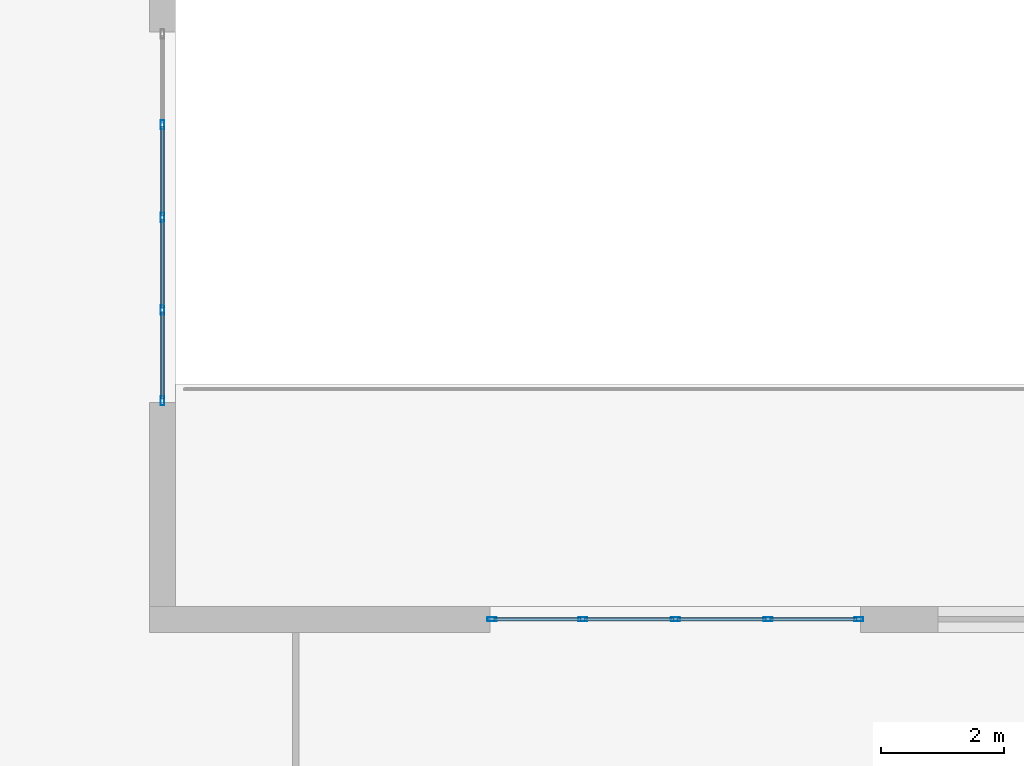
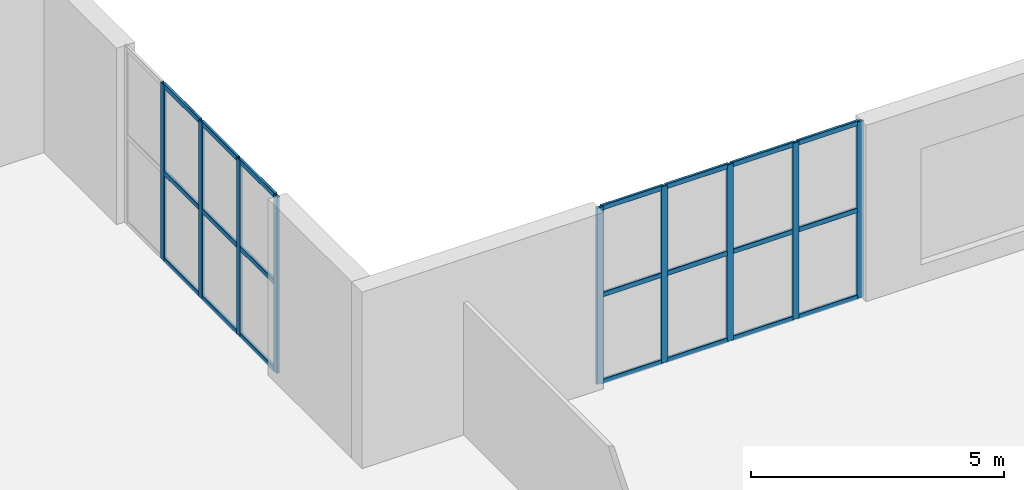
# One storey, part 5 of 15: 30 members, 2 elements without a shape of their own.
"""IFC4 building model written with IfcOpenShell, lengths in metres."""

from ifc_helpers import new_model, entity, si_unit, converted_unit, direction, frame, origin_with_axes, origin_2d_with_axis, place, context, subcontext, project, spatial, hollow_rectangle, extrude, material, material_profile, profile_set, type_object, element, aggregate, save


model = new_model("IFC4")

# Units and contexts
model_context = context("Model", 3, precision=1e-05, world=origin_with_axes(), true_north=direction((0.0, 1.0)))
body_context = subcontext(model_context, "Body", "Model", "MODEL_VIEW")
ifc_project = project(units=[si_unit("LENGTHUNIT", "METRE"), si_unit("AREAUNIT", "SQUARE_METRE"), si_unit("VOLUMEUNIT", "CUBIC_METRE"), converted_unit("PLANEANGLEUNIT", "DEGREE", entity("IfcPlaneAngleMeasure", 0.017453292519943295), si_unit("PLANEANGLEUNIT", "RADIAN"), dimensions=[0, 0, 0, 0, 0, 0, 0]), si_unit("MASSUNIT", "GRAM", prefix="KILO"), si_unit("THERMODYNAMICTEMPERATUREUNIT", "KELVIN")], contexts=[model_context])

# Site, building, storey
site_placement = place(None, origin_with_axes())
site = spatial("IfcSite", under=ifc_project, at=site_placement, CompositionType="ELEMENT")
building_placement = place(site_placement, origin_with_axes())
building = spatial("IfcBuilding", under=site, at=building_placement, Name="Varnlund Millrace Tower", CompositionType="ELEMENT")
storey_placement = place(building_placement, frame((0.0, 0.0, 19.8), z_axis=(0.0, 0.0, 1.0), x_axis=(1.0, 0.0, 0.0)))
storey = spatial("IfcBuildingStorey", under=building, at=storey_placement, Name="L04", CompositionType="ELEMENT", Elevation=19.8)

# Curtain wall, members
ifc_material_1 = material(Name="Thermally broken architectural bronze curtain wall", Category="aluminium")
curtain_wall_type = type_object("IfcCurtainWallType", Name="Type-CW-Sys4-SkyLobby1", PredefinedType="NOTDEFINED", material=ifc_material_1)
curtain_wall_1_placement = place(storey_placement, frame((53.7, 35.79, 0.0), z_axis=(0.0, 0.0, 1.0), x_axis=(1.0, 0.0, 0.0)))
curtain_wall_1 = element("IfcCurtainWall", 1, at=curtain_wall_1_placement, inside=storey, type_object=curtain_wall_type, Name="Type-CW-Sys4-SkyLobby1", PredefinedType="NOTDEFINED")
ifc_material_2 = material(Name="Architectural bronze aluminium alloy 6063-T6", Category="aluminium")
ifc_material_profile_1 = material_profile(ifc_material_2, hollow_rectangle(XDim=0.06, YDim=0.15, WallThickness=0.004, InnerFilletRadius=0.004, OuterFilletRadius=0.008, at=origin_2d_with_axis()), Name="Architectural bronze aluminium alloy 6063-T6")
ifc_profile_set_1 = profile_set([ifc_material_profile_1], Name="Architectural bronze aluminium alloy 6063-T6")
member_type_1 = type_object("IfcMemberType", Name="Type-CW-Mullion-60X150", PredefinedType="MULLION", material=ifc_profile_set_1)
member_1_placement = place(storey_placement, frame((53.73, 35.79, 0.0), z_axis=(0.0, 0.0, 1.0), x_axis=(0.0, 1.0, 0.0)))
member_1 = element("IfcMember", 2, at=member_1_placement, type_object=member_type_1, Name="CW-04 mullion 1", PredefinedType="MULLION", context=body_context, shape_type="SweptSolid", body=[
    extrude(hollow_rectangle(XDim=0.06, YDim=0.15, WallThickness=0.004, InnerFilletRadius=0.004, OuterFilletRadius=0.008, at=origin_2d_with_axis()), origin_with_axes(), (0.0, 0.0, 1.0), 4.26),
])
member_2_placement = place(storey_placement, frame((55.2, 35.79, 0.0), z_axis=(0.0, 0.0, 1.0), x_axis=(0.0, 1.0, 0.0)))
member_2 = element("IfcMember", 3, at=member_2_placement, type_object=member_type_1, Name="CW-04 mullion 2", PredefinedType="MULLION", context=body_context, shape_type="SweptSolid", body=[
    extrude(hollow_rectangle(XDim=0.06, YDim=0.15, WallThickness=0.004, InnerFilletRadius=0.004, OuterFilletRadius=0.008, at=origin_2d_with_axis()), origin_with_axes(), (0.0, 0.0, 1.0), 4.26),
])
member_3_placement = place(storey_placement, frame((56.7, 35.79, 0.0), z_axis=(0.0, 0.0, 1.0), x_axis=(0.0, 1.0, 0.0)))
member_3 = element("IfcMember", 4, at=member_3_placement, type_object=member_type_1, Name="CW-04 mullion 3", PredefinedType="MULLION", context=body_context, shape_type="SweptSolid", body=[
    extrude(hollow_rectangle(XDim=0.06, YDim=0.15, WallThickness=0.004, InnerFilletRadius=0.004, OuterFilletRadius=0.008, at=origin_2d_with_axis()), origin_with_axes(), (0.0, 0.0, 1.0), 4.26),
])
member_4_placement = place(storey_placement, frame((58.2, 35.79, 0.0), z_axis=(0.0, 0.0, 1.0), x_axis=(0.0, 1.0, 0.0)))
member_4 = element("IfcMember", 5, at=member_4_placement, type_object=member_type_1, Name="CW-04 mullion 4", PredefinedType="MULLION", context=body_context, shape_type="SweptSolid", body=[
    extrude(hollow_rectangle(XDim=0.06, YDim=0.15, WallThickness=0.004, InnerFilletRadius=0.004, OuterFilletRadius=0.008, at=origin_2d_with_axis()), origin_with_axes(), (0.0, 0.0, 1.0), 4.26),
])
member_5_placement = place(storey_placement, frame((59.67, 35.79, 0.0), z_axis=(0.0, 0.0, 1.0), x_axis=(0.0, 1.0, 0.0)))
member_5 = element("IfcMember", 6, at=member_5_placement, type_object=member_type_1, Name="CW-04 mullion 5", PredefinedType="MULLION", context=body_context, shape_type="SweptSolid", body=[
    extrude(hollow_rectangle(XDim=0.06, YDim=0.15, WallThickness=0.004, InnerFilletRadius=0.004, OuterFilletRadius=0.008, at=origin_2d_with_axis()), origin_with_axes(), (0.0, 0.0, 1.0), 4.26),
])

curtain_wall_2_placement = place(storey_placement, frame((48.39, 45.3, 0.0), z_axis=(0.0, 0.0, 1.0), x_axis=(1.0, 0.0, 0.0)))
curtain_wall_2 = element("IfcCurtainWall", 7, at=curtain_wall_2_placement, inside=storey, type_object=curtain_wall_type, Name="Type-CW-Sys4-SkyLobby1", PredefinedType="NOTDEFINED")
member_6_placement = place(storey_placement, frame((48.39, 43.8, 0.0), z_axis=(0.0, 0.0, 1.0), x_axis=(1.0, 0.0, 0.0)))
member_6 = element("IfcMember", 8, at=member_6_placement, type_object=member_type_1, Name="CW-04 mullion 2", PredefinedType="MULLION", context=body_context, shape_type="SweptSolid", body=[
    extrude(hollow_rectangle(XDim=0.06, YDim=0.15, WallThickness=0.004, InnerFilletRadius=0.004, OuterFilletRadius=0.008, at=origin_2d_with_axis()), origin_with_axes(), (0.0, 0.0, 1.0), 4.26),
])
member_7_placement = place(storey_placement, frame((48.39, 42.3, 0.0), z_axis=(0.0, 0.0, 1.0), x_axis=(1.0, 0.0, 0.0)))
member_7 = element("IfcMember", 9, at=member_7_placement, type_object=member_type_1, Name="CW-04 mullion 3", PredefinedType="MULLION", context=body_context, shape_type="SweptSolid", body=[
    extrude(hollow_rectangle(XDim=0.06, YDim=0.15, WallThickness=0.004, InnerFilletRadius=0.004, OuterFilletRadius=0.008, at=origin_2d_with_axis()), origin_with_axes(), (0.0, 0.0, 1.0), 4.26),
])
member_8_placement = place(storey_placement, frame((48.39, 40.8, 0.0), z_axis=(0.0, 0.0, 1.0), x_axis=(1.0, 0.0, 0.0)))
member_8 = element("IfcMember", 10, at=member_8_placement, type_object=member_type_1, Name="CW-04 mullion 4", PredefinedType="MULLION", context=body_context, shape_type="SweptSolid", body=[
    extrude(hollow_rectangle(XDim=0.06, YDim=0.15, WallThickness=0.004, InnerFilletRadius=0.004, OuterFilletRadius=0.008, at=origin_2d_with_axis()), origin_with_axes(), (0.0, 0.0, 1.0), 4.26),
])
member_9_placement = place(storey_placement, frame((48.39, 39.33, 0.0), z_axis=(0.0, 0.0, 1.0), x_axis=(1.0, 0.0, 0.0)))
member_9 = element("IfcMember", 11, at=member_9_placement, type_object=member_type_1, Name="CW-04 mullion 5", PredefinedType="MULLION", context=body_context, shape_type="SweptSolid", body=[
    extrude(hollow_rectangle(XDim=0.06, YDim=0.15, WallThickness=0.004, InnerFilletRadius=0.004, OuterFilletRadius=0.008, at=origin_2d_with_axis()), origin_with_axes(), (0.0, 0.0, 1.0), 4.26),
])

# Member
ifc_material_profile_2 = material_profile(ifc_material_2, hollow_rectangle(XDim=0.06, YDim=0.12, WallThickness=0.004, InnerFilletRadius=0.004, OuterFilletRadius=0.008, at=origin_2d_with_axis()), Name="Architectural bronze aluminium alloy 6063-T6")
ifc_profile_set_2 = profile_set([ifc_material_profile_2], Name="Architectural bronze aluminium alloy 6063-T6")
member_type_2 = type_object("IfcMemberType", Name="Type-CW-Transom-60X120", PredefinedType="USERDEFINED", material=ifc_profile_set_2)
member_10_placement = place(storey_placement, frame((53.76, 35.79, 0.03), z_axis=(1.0, 0.0, 0.0), x_axis=(0.0, 1.0, 0.0)))
member_10 = element("IfcMember", 12, at=member_10_placement, type_object=member_type_2, Name="CW-04 transom 1.1", ObjectType="TRANSOM", PredefinedType="USERDEFINED", context=body_context, shape_type="SweptSolid", body=[
    extrude(hollow_rectangle(XDim=0.06, YDim=0.12, WallThickness=0.004, InnerFilletRadius=0.004, OuterFilletRadius=0.008, at=origin_2d_with_axis()), origin_with_axes(), (0.0, 0.0, 1.0), 1.41),
])

member_11_placement = place(storey_placement, frame((53.76, 35.79, 2.13), z_axis=(1.0, 0.0, 0.0), x_axis=(0.0, 1.0, 0.0)))
member_11 = element("IfcMember", 13, at=member_11_placement, type_object=member_type_2, Name="CW-04 transom 1.2", ObjectType="TRANSOM", PredefinedType="USERDEFINED", context=body_context, shape_type="SweptSolid", body=[
    extrude(hollow_rectangle(XDim=0.06, YDim=0.12, WallThickness=0.004, InnerFilletRadius=0.004, OuterFilletRadius=0.008, at=origin_2d_with_axis()), origin_with_axes(), (0.0, 0.0, 1.0), 1.41),
])

member_12_placement = place(storey_placement, frame((53.76, 35.79, 4.23), z_axis=(1.0, 0.0, 0.0), x_axis=(0.0, 1.0, 0.0)))
member_12 = element("IfcMember", 14, at=member_12_placement, type_object=member_type_2, Name="CW-04 transom 1.3", ObjectType="TRANSOM", PredefinedType="USERDEFINED", context=body_context, shape_type="SweptSolid", body=[
    extrude(hollow_rectangle(XDim=0.06, YDim=0.12, WallThickness=0.004, InnerFilletRadius=0.004, OuterFilletRadius=0.008, at=origin_2d_with_axis()), origin_with_axes(), (0.0, 0.0, 1.0), 1.41),
])

member_13_placement = place(storey_placement, frame((55.23, 35.79, 0.03), z_axis=(1.0, 0.0, 0.0), x_axis=(0.0, 1.0, 0.0)))
member_13 = element("IfcMember", 15, at=member_13_placement, type_object=member_type_2, Name="CW-04 transom 2.1", ObjectType="TRANSOM", PredefinedType="USERDEFINED", context=body_context, shape_type="SweptSolid", body=[
    extrude(hollow_rectangle(XDim=0.06, YDim=0.12, WallThickness=0.004, InnerFilletRadius=0.004, OuterFilletRadius=0.008, at=origin_2d_with_axis()), origin_with_axes(), (0.0, 0.0, 1.0), 1.44),
])

member_14_placement = place(storey_placement, frame((55.23, 35.79, 2.13), z_axis=(1.0, 0.0, 0.0), x_axis=(0.0, 1.0, 0.0)))
member_14 = element("IfcMember", 16, at=member_14_placement, type_object=member_type_2, Name="CW-04 transom 2.2", ObjectType="TRANSOM", PredefinedType="USERDEFINED", context=body_context, shape_type="SweptSolid", body=[
    extrude(hollow_rectangle(XDim=0.06, YDim=0.12, WallThickness=0.004, InnerFilletRadius=0.004, OuterFilletRadius=0.008, at=origin_2d_with_axis()), origin_with_axes(), (0.0, 0.0, 1.0), 1.44),
])

member_15_placement = place(storey_placement, frame((55.23, 35.79, 4.23), z_axis=(1.0, 0.0, 0.0), x_axis=(0.0, 1.0, 0.0)))
member_15 = element("IfcMember", 17, at=member_15_placement, type_object=member_type_2, Name="CW-04 transom 2.3", ObjectType="TRANSOM", PredefinedType="USERDEFINED", context=body_context, shape_type="SweptSolid", body=[
    extrude(hollow_rectangle(XDim=0.06, YDim=0.12, WallThickness=0.004, InnerFilletRadius=0.004, OuterFilletRadius=0.008, at=origin_2d_with_axis()), origin_with_axes(), (0.0, 0.0, 1.0), 1.44),
])

member_16_placement = place(storey_placement, frame((56.73, 35.79, 0.03), z_axis=(1.0, 0.0, 0.0), x_axis=(0.0, 1.0, 0.0)))
member_16 = element("IfcMember", 18, at=member_16_placement, type_object=member_type_2, Name="CW-04 transom 3.1", ObjectType="TRANSOM", PredefinedType="USERDEFINED", context=body_context, shape_type="SweptSolid", body=[
    extrude(hollow_rectangle(XDim=0.06, YDim=0.12, WallThickness=0.004, InnerFilletRadius=0.004, OuterFilletRadius=0.008, at=origin_2d_with_axis()), origin_with_axes(), (0.0, 0.0, 1.0), 1.44),
])

member_17_placement = place(storey_placement, frame((56.73, 35.79, 2.13), z_axis=(1.0, 0.0, 0.0), x_axis=(0.0, 1.0, 0.0)))
member_17 = element("IfcMember", 19, at=member_17_placement, type_object=member_type_2, Name="CW-04 transom 3.2", ObjectType="TRANSOM", PredefinedType="USERDEFINED", context=body_context, shape_type="SweptSolid", body=[
    extrude(hollow_rectangle(XDim=0.06, YDim=0.12, WallThickness=0.004, InnerFilletRadius=0.004, OuterFilletRadius=0.008, at=origin_2d_with_axis()), origin_with_axes(), (0.0, 0.0, 1.0), 1.44),
])

member_18_placement = place(storey_placement, frame((56.73, 35.79, 4.23), z_axis=(1.0, 0.0, 0.0), x_axis=(0.0, 1.0, 0.0)))
member_18 = element("IfcMember", 20, at=member_18_placement, type_object=member_type_2, Name="CW-04 transom 3.3", ObjectType="TRANSOM", PredefinedType="USERDEFINED", context=body_context, shape_type="SweptSolid", body=[
    extrude(hollow_rectangle(XDim=0.06, YDim=0.12, WallThickness=0.004, InnerFilletRadius=0.004, OuterFilletRadius=0.008, at=origin_2d_with_axis()), origin_with_axes(), (0.0, 0.0, 1.0), 1.44),
])

member_19_placement = place(storey_placement, frame((58.23, 35.79, 0.03), z_axis=(1.0, 0.0, 0.0), x_axis=(0.0, 1.0, 0.0)))
member_19 = element("IfcMember", 21, at=member_19_placement, type_object=member_type_2, Name="CW-04 transom 4.1", ObjectType="TRANSOM", PredefinedType="USERDEFINED", context=body_context, shape_type="SweptSolid", body=[
    extrude(hollow_rectangle(XDim=0.06, YDim=0.12, WallThickness=0.004, InnerFilletRadius=0.004, OuterFilletRadius=0.008, at=origin_2d_with_axis()), origin_with_axes(), (0.0, 0.0, 1.0), 1.41),
])

member_20_placement = place(storey_placement, frame((58.23, 35.79, 2.13), z_axis=(1.0, 0.0, 0.0), x_axis=(0.0, 1.0, 0.0)))
member_20 = element("IfcMember", 22, at=member_20_placement, type_object=member_type_2, Name="CW-04 transom 4.2", ObjectType="TRANSOM", PredefinedType="USERDEFINED", context=body_context, shape_type="SweptSolid", body=[
    extrude(hollow_rectangle(XDim=0.06, YDim=0.12, WallThickness=0.004, InnerFilletRadius=0.004, OuterFilletRadius=0.008, at=origin_2d_with_axis()), origin_with_axes(), (0.0, 0.0, 1.0), 1.41),
])

member_21_placement = place(storey_placement, frame((58.23, 35.79, 4.23), z_axis=(1.0, 0.0, 0.0), x_axis=(0.0, 1.0, 0.0)))
member_21 = element("IfcMember", 23, at=member_21_placement, type_object=member_type_2, Name="CW-04 transom 4.3", ObjectType="TRANSOM", PredefinedType="USERDEFINED", context=body_context, shape_type="SweptSolid", body=[
    extrude(hollow_rectangle(XDim=0.06, YDim=0.12, WallThickness=0.004, InnerFilletRadius=0.004, OuterFilletRadius=0.008, at=origin_2d_with_axis()), origin_with_axes(), (0.0, 0.0, 1.0), 1.41),
])

aggregate(curtain_wall_1, [member_1, member_2, member_3, member_4, member_5, member_10, member_11, member_12, member_13, member_14, member_15, member_16, member_17, member_18, member_19, member_20, member_21])

member_22_placement = place(storey_placement, frame((48.39, 43.77, 0.03), z_axis=(0.0, -1.0, 0.0), x_axis=(1.0, 0.0, 0.0)))
member_22 = element("IfcMember", 24, at=member_22_placement, type_object=member_type_2, Name="CW-04 transom 2.1", ObjectType="TRANSOM", PredefinedType="USERDEFINED", context=body_context, shape_type="SweptSolid", body=[
    extrude(hollow_rectangle(XDim=0.06, YDim=0.12, WallThickness=0.004, InnerFilletRadius=0.004, OuterFilletRadius=0.008, at=origin_2d_with_axis()), origin_with_axes(), (0.0, 0.0, 1.0), 1.44),
])

member_23_placement = place(storey_placement, frame((48.39, 43.77, 2.13), z_axis=(0.0, -1.0, 0.0), x_axis=(1.0, 0.0, 0.0)))
member_23 = element("IfcMember", 25, at=member_23_placement, type_object=member_type_2, Name="CW-04 transom 2.2", ObjectType="TRANSOM", PredefinedType="USERDEFINED", context=body_context, shape_type="SweptSolid", body=[
    extrude(hollow_rectangle(XDim=0.06, YDim=0.12, WallThickness=0.004, InnerFilletRadius=0.004, OuterFilletRadius=0.008, at=origin_2d_with_axis()), origin_with_axes(), (0.0, 0.0, 1.0), 1.44),
])

member_24_placement = place(storey_placement, frame((48.39, 43.77, 4.23), z_axis=(0.0, -1.0, 0.0), x_axis=(1.0, 0.0, 0.0)))
member_24 = element("IfcMember", 26, at=member_24_placement, type_object=member_type_2, Name="CW-04 transom 2.3", ObjectType="TRANSOM", PredefinedType="USERDEFINED", context=body_context, shape_type="SweptSolid", body=[
    extrude(hollow_rectangle(XDim=0.06, YDim=0.12, WallThickness=0.004, InnerFilletRadius=0.004, OuterFilletRadius=0.008, at=origin_2d_with_axis()), origin_with_axes(), (0.0, 0.0, 1.0), 1.44),
])

member_25_placement = place(storey_placement, frame((48.39, 42.27, 0.03), z_axis=(0.0, -1.0, 0.0), x_axis=(1.0, 0.0, 0.0)))
member_25 = element("IfcMember", 27, at=member_25_placement, type_object=member_type_2, Name="CW-04 transom 3.1", ObjectType="TRANSOM", PredefinedType="USERDEFINED", context=body_context, shape_type="SweptSolid", body=[
    extrude(hollow_rectangle(XDim=0.06, YDim=0.12, WallThickness=0.004, InnerFilletRadius=0.004, OuterFilletRadius=0.008, at=origin_2d_with_axis()), origin_with_axes(), (0.0, 0.0, 1.0), 1.44),
])

member_26_placement = place(storey_placement, frame((48.39, 42.27, 2.13), z_axis=(0.0, -1.0, 0.0), x_axis=(1.0, 0.0, 0.0)))
member_26 = element("IfcMember", 28, at=member_26_placement, type_object=member_type_2, Name="CW-04 transom 3.2", ObjectType="TRANSOM", PredefinedType="USERDEFINED", context=body_context, shape_type="SweptSolid", body=[
    extrude(hollow_rectangle(XDim=0.06, YDim=0.12, WallThickness=0.004, InnerFilletRadius=0.004, OuterFilletRadius=0.008, at=origin_2d_with_axis()), origin_with_axes(), (0.0, 0.0, 1.0), 1.44),
])

member_27_placement = place(storey_placement, frame((48.39, 42.27, 4.23), z_axis=(0.0, -1.0, 0.0), x_axis=(1.0, 0.0, 0.0)))
member_27 = element("IfcMember", 29, at=member_27_placement, type_object=member_type_2, Name="CW-04 transom 3.3", ObjectType="TRANSOM", PredefinedType="USERDEFINED", context=body_context, shape_type="SweptSolid", body=[
    extrude(hollow_rectangle(XDim=0.06, YDim=0.12, WallThickness=0.004, InnerFilletRadius=0.004, OuterFilletRadius=0.008, at=origin_2d_with_axis()), origin_with_axes(), (0.0, 0.0, 1.0), 1.44),
])

member_28_placement = place(storey_placement, frame((48.39, 40.77, 0.03), z_axis=(0.0, -1.0, 0.0), x_axis=(1.0, 0.0, 0.0)))
member_28 = element("IfcMember", 30, at=member_28_placement, type_object=member_type_2, Name="CW-04 transom 4.1", ObjectType="TRANSOM", PredefinedType="USERDEFINED", context=body_context, shape_type="SweptSolid", body=[
    extrude(hollow_rectangle(XDim=0.06, YDim=0.12, WallThickness=0.004, InnerFilletRadius=0.004, OuterFilletRadius=0.008, at=origin_2d_with_axis()), origin_with_axes(), (0.0, 0.0, 1.0), 1.41),
])

member_29_placement = place(storey_placement, frame((48.39, 40.77, 2.13), z_axis=(0.0, -1.0, 0.0), x_axis=(1.0, 0.0, 0.0)))
member_29 = element("IfcMember", 31, at=member_29_placement, type_object=member_type_2, Name="CW-04 transom 4.2", ObjectType="TRANSOM", PredefinedType="USERDEFINED", context=body_context, shape_type="SweptSolid", body=[
    extrude(hollow_rectangle(XDim=0.06, YDim=0.12, WallThickness=0.004, InnerFilletRadius=0.004, OuterFilletRadius=0.008, at=origin_2d_with_axis()), origin_with_axes(), (0.0, 0.0, 1.0), 1.41),
])

member_30_placement = place(storey_placement, frame((48.39, 40.77, 4.23), z_axis=(0.0, -1.0, 0.0), x_axis=(1.0, 0.0, 0.0)))
member_30 = element("IfcMember", 32, at=member_30_placement, type_object=member_type_2, Name="CW-04 transom 4.3", ObjectType="TRANSOM", PredefinedType="USERDEFINED", context=body_context, shape_type="SweptSolid", body=[
    extrude(hollow_rectangle(XDim=0.06, YDim=0.12, WallThickness=0.004, InnerFilletRadius=0.004, OuterFilletRadius=0.008, at=origin_2d_with_axis()), origin_with_axes(), (0.0, 0.0, 1.0), 1.41),
])

aggregate(curtain_wall_2, [member_6, member_7, member_8, member_9, member_22, member_23, member_24, member_25, member_26, member_27, member_28, member_29, member_30])

save(model, "model.ifc")
